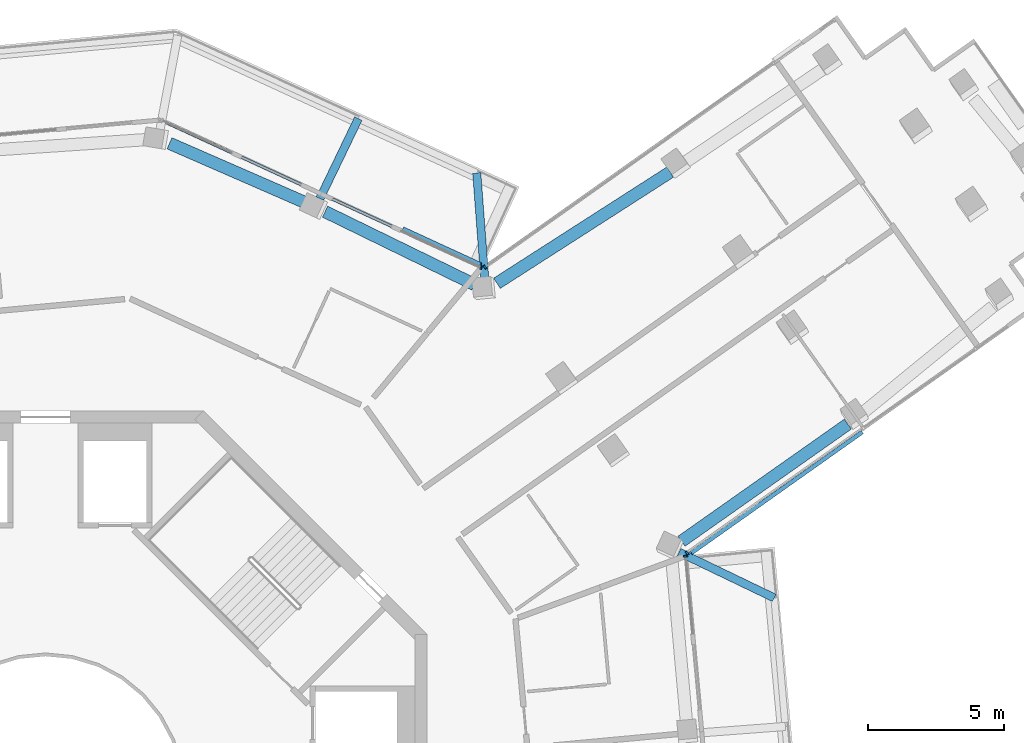
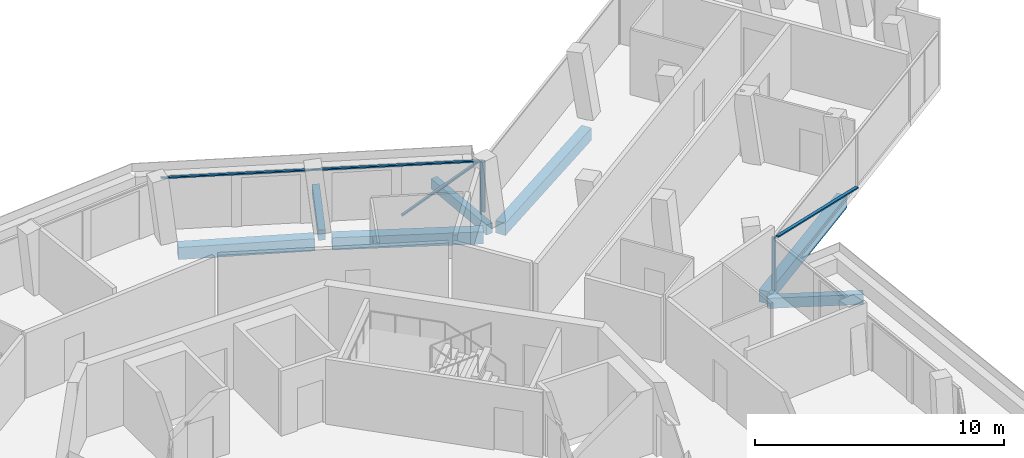
# One storey, part 8 of 25: 7 beams, 7 members, 4 elements without a shape of their own.
"""IFC4 building model written with IfcOpenShell, lengths in metres."""

from ifc_helpers import new_model, si_unit, direction, frame, origin, origin_2d, place, context, subcontext, project, spatial, rectangle, extrude, material, layer, layer_set, material_profile, profile_set, type_object, element, aggregate, save


model = new_model("IFC4")

# Units and contexts
model_context = context("Model", 3, precision=1e-05, world=origin(), true_north=direction((0.0, 1.0)))
body_context = subcontext(model_context, "Body", "Model", "MODEL_VIEW")
ifc_project = project(units=[si_unit("LENGTHUNIT", "METRE"), si_unit("AREAUNIT", "SQUARE_METRE"), si_unit("VOLUMEUNIT", "CUBIC_METRE"), si_unit("PLANEANGLEUNIT", "RADIAN"), si_unit("MASSUNIT", "GRAM", prefix="KILO")], contexts=[model_context])

# Site, building, storey
site_placement = place(None, origin())
site = spatial("IfcSite", under=ifc_project, at=site_placement, CompositionType="ELEMENT")
building_placement = place(site_placement, origin())
building = spatial("IfcBuilding", under=site, at=building_placement, Name="Verdalira Terraces Hotel", CompositionType="ELEMENT")
storey_placement = place(building_placement, frame((0.0, 0.0, 299.5)))
storey = spatial("IfcBuildingStorey", under=building, at=storey_placement, Name="L74", CompositionType="ELEMENT", Elevation=299.5)

# Beams
ifc_material_1 = material(Name="Concrete C40", Category="concrete")
ifc_material_profile_1 = material_profile(ifc_material_1, rectangle(XDim=0.300049, YDim=0.5, at=origin_2d()), Name="RC 300X500")
ifc_profile_set_1 = profile_set([ifc_material_profile_1], Name="Concrete C40")
beam_type_1 = type_object("IfcBeamType", Name="Balcony cantilever beam RC 300X500 C40", PredefinedType="BEAM", material=ifc_profile_set_1)
beam_1_placement = place(storey_placement, frame((23.253418, 8.816406, -0.560059), z_axis=(0.90121786, -0.433366322, 0.0), x_axis=(0.433366322, 0.90121786, 0.0)))
element("IfcBeam", 1, at=beam_1_placement, inside=storey, type_object=beam_type_1, Name="Balcony cantilever beam R26-5", PredefinedType="BEAM", context=body_context, shape_type="SweptSolid", body=[
    extrude(rectangle(XDim=0.300049, YDim=0.5, at=origin_2d()), origin(), (0.0, 0.0, 1.0), 3.872559),
])
beam_2_placement = place(storey_placement, frame((16.122314, 18.796387, -0.560059), z_axis=(-0.075339995, 0.997157904, 0.0), x_axis=(-0.997157904, -0.075339995, 0.0)))
element("IfcBeam", 2, at=beam_2_placement, inside=storey, type_object=beam_type_1, Name="Balcony cantilever beam R39-1", PredefinedType="BEAM", context=body_context, shape_type="SweptSolid", body=[
    extrude(rectangle(XDim=0.300049, YDim=0.5, at=origin_2d()), origin(), (0.0, 0.0, 1.0), 3.950195),
])
beam_3_placement = place(storey_placement, frame((10.069824, 21.794189, -0.560059), z_axis=(0.433341359, 0.901229863, 0.0), x_axis=(-0.901229863, 0.433341359, 0.0)))
element("IfcBeam", 3, at=beam_3_placement, inside=storey, type_object=beam_type_1, Name="Balcony cantilever beam R39-2", PredefinedType="BEAM", context=body_context, shape_type="SweptSolid", body=[
    extrude(rectangle(XDim=0.300049, YDim=0.5, at=origin_2d()), origin(), (0.0, 0.0, 1.0), 3.250732),
])

# Curtain wall, member
ifc_material_2 = material(Name="Clear glass", Category="glass")
ifc_layer_1 = layer(ifc_material_2, 0.14990234375)
ifc_layer_set_1 = layer_set([ifc_layer_1], Name="CW1 curtain wall")
curtain_wall_type_1 = type_object("IfcCurtainWallType", Name="CW1 curtain wall", PredefinedType="NOTDEFINED", material=ifc_layer_set_1)
curtain_wall_1_placement = place(storey_placement, origin())
curtain_wall_1 = element("IfcCurtainWall", 4, at=curtain_wall_1_placement, inside=storey, type_object=curtain_wall_type_1, Name="CW1 curtain wall L74 edge 27", PredefinedType="NOTDEFINED")
ifc_material_3 = material(Name="Terracotta frame", Category="masonry")
ifc_material_profile_2 = material_profile(ifc_material_3, rectangle(XDim=0.060059, YDim=0.149902, at=origin_2d()), Name="MU 60x150")
ifc_profile_set_2 = profile_set([ifc_material_profile_2], Name="Terracotta frame")
member_type_1 = type_object("IfcMemberType", Name="CW1 mullion 60x150", PredefinedType="MULLION", material=ifc_profile_set_2)
member_1_placement = place(storey_placement, frame((23.485352, 8.667969, 0.0), z_axis=(0.0, 0.0, 1.0), x_axis=(-0.092023008, 0.995756881, 0.0)))
member_1 = element("IfcMember", 5, at=member_1_placement, type_object=member_type_1, Name="CW1 mullion", PredefinedType="MULLION", context=body_context, shape_type="SweptSolid", body=[
    extrude(rectangle(XDim=0.060059, YDim=0.149902, at=origin_2d()), origin(), (0.0, 0.0, 1.0), 2.524902),
])
aggregate(curtain_wall_1, [member_1])

# Curtain wall, members
curtain_wall_2_placement = place(storey_placement, origin())
curtain_wall_2 = element("IfcCurtainWall", 6, at=curtain_wall_2_placement, inside=storey, type_object=curtain_wall_type_1, Name="CW1 curtain wall L74 edge 39", PredefinedType="NOTDEFINED")
member_2_placement = place(storey_placement, frame((15.990234, 19.261475, 0.0), z_axis=(0.0, 0.0, 1.0), x_axis=(-0.908362259, 0.418184178, 0.0)))
member_2 = element("IfcMember", 7, at=member_2_placement, type_object=member_type_1, Name="CW1 mullion", PredefinedType="MULLION", context=body_context, shape_type="SweptSolid", body=[
    extrude(rectangle(XDim=0.060059, YDim=0.149902, at=origin_2d()), origin(), (0.0, 0.0, 1.0), 2.524902),
])
ifc_material_4 = material(Name="Terracotta frame", Category="masonry")
ifc_material_profile_3 = material_profile(ifc_material_4, rectangle(XDim=0.110107, YDim=0.064941, at=origin_2d()), Name="TR 65x110")
ifc_profile_set_3 = profile_set([ifc_material_profile_3], Name="Terracotta frame")
member_type_2 = type_object("IfcMemberType", Name="CW1 transom 65x110", PredefinedType="USERDEFINED", material=ifc_profile_set_3)
member_3_placement = place(storey_placement, frame((16.017334, 19.249023, 2.557617), z_axis=(-0.908356515, 0.418196654, 0.0), x_axis=(-0.418196654, -0.908356515, 0.0)))
member_3 = element("IfcMember", 8, at=member_3_placement, type_object=member_type_2, Name="CW1 transom", ObjectType="TRANSOM", PredefinedType="USERDEFINED", context=body_context, shape_type="SweptSolid", body=[
    extrude(rectangle(XDim=0.110107, YDim=0.064941, at=origin_2d()), origin(), (0.0, 0.0, 1.0), 12.959717),
])

# Curtain wall, member
ifc_material_5 = material(Name="Clear glass", Category="glass")
ifc_layer_2 = layer(ifc_material_5, 0.14990234375)
ifc_layer_set_2 = layer_set([ifc_layer_2], Name="CW2 curtain wall")
curtain_wall_type_2 = type_object("IfcCurtainWallType", Name="CW2 curtain wall", PredefinedType="NOTDEFINED", material=ifc_layer_set_2)
curtain_wall_3_placement = place(storey_placement, origin())
curtain_wall_3 = element("IfcCurtainWall", 9, at=curtain_wall_3_placement, inside=storey, type_object=curtain_wall_type_2, Name="CW2 curtain wall L74 edge 28", PredefinedType="NOTDEFINED")
ifc_material_6 = material(Name="Terracotta frame", Category="masonry")
ifc_material_profile_4 = material_profile(ifc_material_6, rectangle(XDim=0.070068, YDim=0.149902, at=origin_2d()), Name="MU 70x150")
ifc_profile_set_4 = profile_set([ifc_material_profile_4], Name="Terracotta frame")
member_type_3 = type_object("IfcMemberType", Name="CW2 mullion 70x150", PredefinedType="MULLION", material=ifc_profile_set_4)
member_4_placement = place(storey_placement, frame((23.54248, 8.786133, 0.0), z_axis=(0.0, 0.0, 1.0), x_axis=(0.816339251, 0.577572703, 0.0)))
member_4 = element("IfcMember", 10, at=member_4_placement, type_object=member_type_3, Name="CW2 mullion", PredefinedType="MULLION", context=body_context, shape_type="SweptSolid", body=[
    extrude(rectangle(XDim=0.070068, YDim=0.149902, at=origin_2d()), origin(), (0.0, 0.0, 1.0), 2.524902),
])

curtain_wall_4_placement = place(storey_placement, origin())
curtain_wall_4 = element("IfcCurtainWall", 11, at=curtain_wall_4_placement, inside=storey, type_object=curtain_wall_type_2, Name="CW2 curtain wall L74 edge 38", PredefinedType="NOTDEFINED")
member_5_placement = place(storey_placement, frame((16.120605, 19.276123, 0.0), z_axis=(0.0, 0.0, 1.0), x_axis=(-0.816339251, -0.577572703, 0.0)))
member_5 = element("IfcMember", 12, at=member_5_placement, type_object=member_type_3, Name="CW2 mullion", PredefinedType="MULLION", context=body_context, shape_type="SweptSolid", body=[
    extrude(rectangle(XDim=0.070068, YDim=0.149902, at=origin_2d()), origin(), (0.0, 0.0, 1.0), 2.524902),
])
aggregate(curtain_wall_4, [member_5])

# Member
ifc_material_7 = material(Name="Terracotta frame", Category="masonry")
ifc_material_profile_5 = material_profile(ifc_material_7, rectangle(XDim=0.149902, YDim=0.060059, at=origin_2d()), Name="GB 60x150")
ifc_profile_set_5 = profile_set([ifc_material_profile_5], Name="Terracotta frame")
member_type_4 = type_object("IfcMemberType", Name="Diagonal glazing bar 60x150", PredefinedType="USERDEFINED", material=ifc_profile_set_5)
member_6_placement = place(storey_placement, frame((23.697754, 8.784668, 2.49585), z_axis=(0.777204664, 0.549860112, -0.305952231), x_axis=(-0.57755572, 0.816351267, 0.0)))
member_6 = element("IfcMember", 13, at=member_6_placement, type_object=member_type_4, Name="Diagonal glazing bar", ObjectType="GLAZING BAR", PredefinedType="USERDEFINED", context=body_context, shape_type="SweptSolid", body=[
    extrude(rectangle(XDim=0.149902, YDim=0.060059, at=origin_2d()), origin(), (0.0, 0.0, 1.0), 8.062744),
])

aggregate(curtain_wall_3, [member_4, member_6])

member_7_placement = place(storey_placement, frame((15.97168, 19.368164, 2.500244), z_axis=(-0.712241248, 0.327841537, -0.620670871), x_axis=(-0.418127245, -0.908388467, 0.0)))
member_7 = element("IfcMember", 14, at=member_7_placement, type_object=member_type_4, Name="Diagonal glazing bar", ObjectType="GLAZING BAR", PredefinedType="USERDEFINED", context=body_context, shape_type="SweptSolid", body=[
    extrude(rectangle(XDim=0.149902, YDim=0.060059, at=origin_2d()), origin(), (0.0, 0.0, 1.0), 3.988525),
])

aggregate(curtain_wall_2, [member_2, member_3, member_7])

# Beams
ifc_material_8 = material(Name="Concrete C40", Category="concrete")
ifc_material_profile_6 = material_profile(ifc_material_8, rectangle(XDim=0.449951, YDim=0.600098, at=origin_2d()), Name="RC 450X600")
ifc_profile_set_6 = profile_set([ifc_material_profile_6], Name="Concrete C40")
beam_type_2 = type_object("IfcBeamType", Name="Spandrel beam RC 450X600 C40", PredefinedType="SPANDREL", material=ifc_profile_set_6)
beam_4_placement = place(storey_placement, frame((23.337402, 9.216309, -0.610107), z_axis=(0.817623417, 0.575753374, 0.0), x_axis=(-0.575753374, 0.817623417, 0.0)))
element("IfcBeam", 15, at=beam_4_placement, inside=storey, type_object=beam_type_2, Name="Spandrel beam B19", PredefinedType="SPANDREL", context=body_context, shape_type="SweptSolid", body=[
    extrude(rectangle(XDim=0.449951, YDim=0.600098, at=origin_2d()), origin(), (0.0, 0.0, 1.0), 7.466553),
])
beam_5_placement = place(storey_placement, frame((22.924072, 22.764404, -0.610107), z_axis=(-0.841606751, -0.540090804, 0.0), x_axis=(0.540090804, -0.841606751, 0.0)))
element("IfcBeam", 16, at=beam_5_placement, inside=storey, type_object=beam_type_2, Name="Spandrel beam B23", PredefinedType="SPANDREL", context=body_context, shape_type="SweptSolid", body=[
    extrude(rectangle(XDim=0.449951, YDim=0.600098, at=origin_2d()), origin(), (0.0, 0.0, 1.0), 7.552246),
])
beam_6_placement = place(storey_placement, frame((15.73877, 18.639404, -0.610107), z_axis=(-0.89874882, 0.438463863, 0.0), x_axis=(-0.438463863, -0.89874882, 0.0)))
element("IfcBeam", 17, at=beam_6_placement, inside=storey, type_object=beam_type_2, Name="Spandrel beam B24", PredefinedType="SPANDREL", context=body_context, shape_type="SweptSolid", body=[
    extrude(rectangle(XDim=0.449951, YDim=0.600098, at=origin_2d()), origin(), (0.0, 0.0, 1.0), 6.097656),
])
beam_7_placement = place(storey_placement, frame((9.609863, 21.612549, -0.610107), z_axis=(-0.916531421, 0.399962691, 0.0), x_axis=(-0.399962691, -0.916531421, 0.0)))
element("IfcBeam", 18, at=beam_7_placement, inside=storey, type_object=beam_type_2, Name="Spandrel beam B25", PredefinedType="SPANDREL", context=body_context, shape_type="SweptSolid", body=[
    extrude(rectangle(XDim=0.449951, YDim=0.600098, at=origin_2d()), origin(), (0.0, 0.0, 1.0), 5.52124),
])

save(model, "model.ifc")
